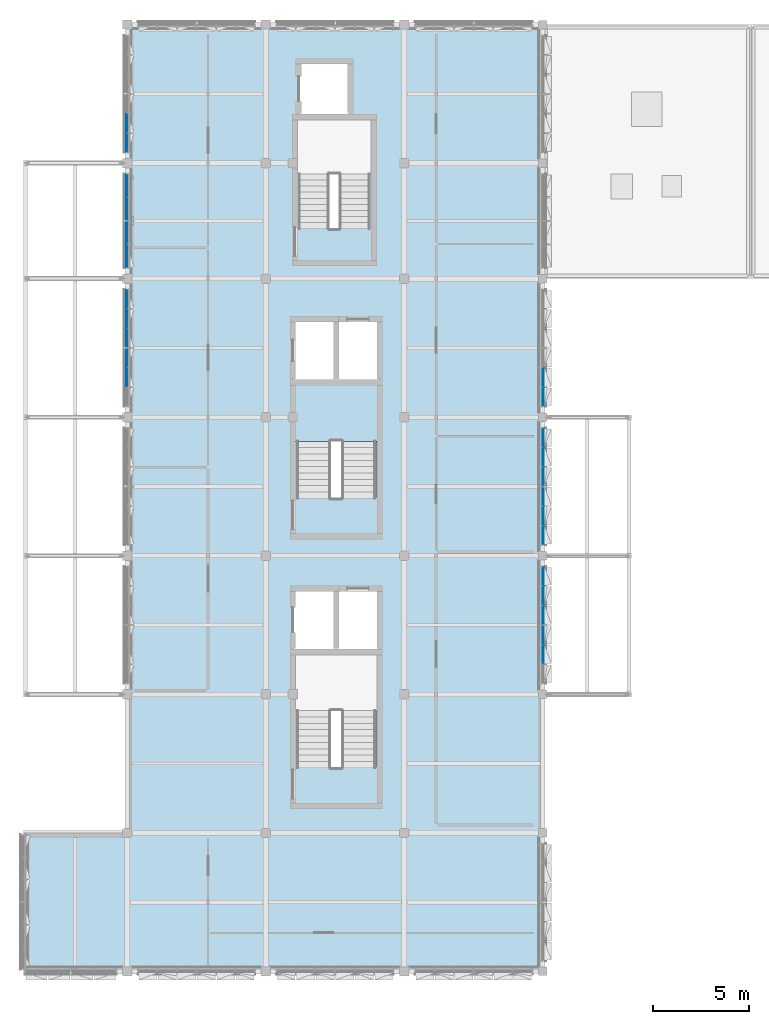
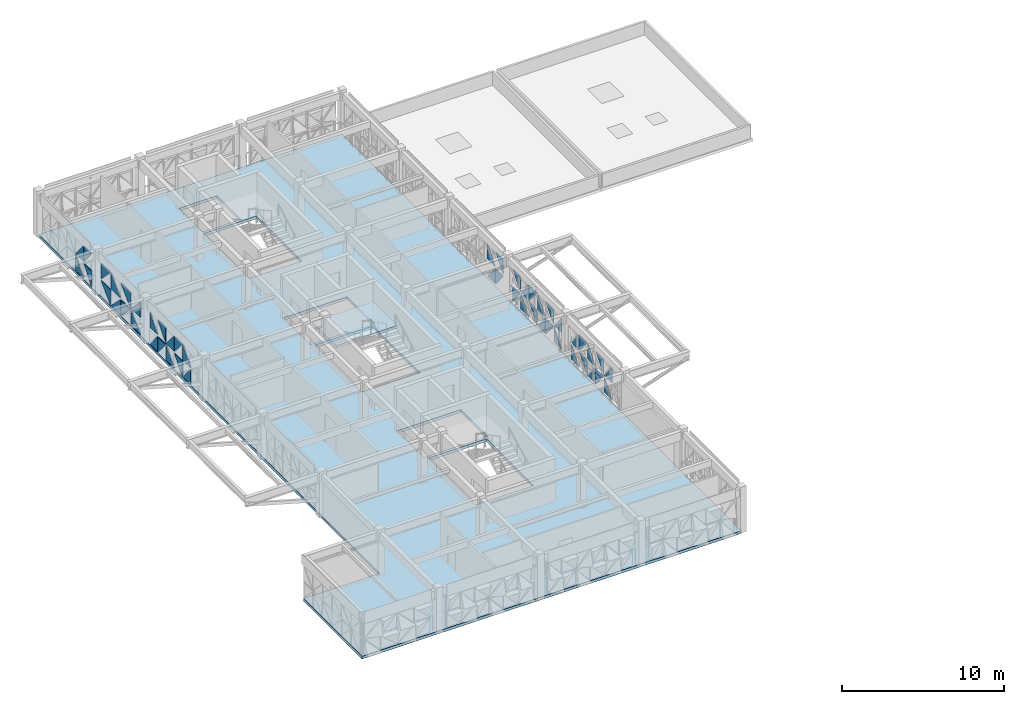
# One storey, part 13 of 30: 48 plates, 2 slabs, 7 elements without a shape of their own.
"""IFC4 building model written with IfcOpenShell, lengths in metres."""

from ifc_helpers import new_model, si_unit, direction, frame, origin, place, context, subcontext, project, spatial, polyline, outline, extrude, material, layer, layer_set, type_object, element, aggregate, save


model = new_model("IFC4")

# Units and contexts
model_context = context("Model", 3, precision=1e-05, world=origin(), true_north=direction((0.0, 1.0)))
body_context = subcontext(model_context, "Body", "Model", "MODEL_VIEW")
ifc_project = project(units=[si_unit("LENGTHUNIT", "METRE"), si_unit("AREAUNIT", "SQUARE_METRE"), si_unit("VOLUMEUNIT", "CUBIC_METRE"), si_unit("PLANEANGLEUNIT", "RADIAN"), si_unit("MASSUNIT", "GRAM", prefix="KILO")], contexts=[model_context])

# Site, building, storey
site_placement = place(None, origin())
site = spatial("IfcSite", under=ifc_project, at=site_placement, CompositionType="ELEMENT")
building_placement = place(site_placement, origin())
building = spatial("IfcBuilding", under=site, at=building_placement, Name="Alvorim Cloister Faculty of Sciences", CompositionType="ELEMENT")
storey_placement = place(building_placement, frame((0.0, 0.0, 26.25)))
storey = spatial("IfcBuildingStorey", under=building, at=storey_placement, Name="L07", CompositionType="ELEMENT", Elevation=26.25)

# Curtain wall, plates
ifc_material_1 = material(Name="Aluminium and Low-E Glass Curtain Wall", Category="aluminium")
curtain_wall_type_1 = type_object("IfcCurtainWallType", Name="CW-TRI-6120x2700", PredefinedType="USERDEFINED", material=ifc_material_1)
curtain_wall_1_placement = place(storey_placement, origin())
curtain_wall_1 = element("IfcCurtainWall", 1, at=curtain_wall_1_placement, inside=storey, type_object=curtain_wall_type_1, Name="L07 Diagonal Cassette Curtain Wall CW-0269", ObjectType="UNITISED CURTAIN WALL", PredefinedType="USERDEFINED")
ifc_material_2 = material(Name="Double Low-E Laminated Glass", Category="glass")
ifc_layer_1 = layer(ifc_material_2, 0.0400390625)
ifc_layer_set_1 = layer_set([ifc_layer_1], Name="Double Low-E Laminated Glass")
plate_type = type_object("IfcPlateType", Name="PN-GLZ-40", PredefinedType="CURTAIN_PANEL", material=ifc_layer_set_1)
plate_1_placement = place(storey_placement, frame((7.175048828125, 37.592529296875, 0.139892578125), z_axis=(0.0, 0.0, 1.0), x_axis=(0.0, 1.0, 0.0)))
plate_1 = element("IfcPlate", 2, at=plate_1_placement, type_object=plate_type, Name="Diagonal Glazed Triangle TRI-BL", PredefinedType="CURTAIN_PANEL", context=body_context, shape_type="SweptSolid", body=[
    extrude(outline(polyline([(0.0, 0.0), (0.953125, 0.0), (0.0, 1.13818359375), (0.0, 0.0)])), frame((0.0, 0.02490234375, 0.0), z_axis=(0.0, -1.0, 0.0), x_axis=(1.0, 0.0, 0.0)), (0.0, 0.0, 1.0), 0.050048828125),
])
plate_2_placement = place(storey_placement, frame((7.175048828125, 37.592529296875, 1.419921875), z_axis=(0.0, 0.0, 1.0), x_axis=(0.0, 1.0, 0.0)))
plate_2 = element("IfcPlate", 3, at=plate_2_placement, type_object=plate_type, Name="Diagonal Glazed Triangle TRI-BR", PredefinedType="CURTAIN_PANEL", context=body_context, shape_type="SweptSolid", body=[
    extrude(outline(polyline([(0.001953125, 0.0), (0.955078125, 0.0), (0.955078125, 1.13818359375), (0.001953125, 0.0)])), frame((0.0, 0.02490234375, 0.0), z_axis=(0.0, -1.0, 0.0), x_axis=(1.0, 0.0, 0.0)), (0.0, 0.0, 1.0), 0.050048828125),
])
plate_3_placement = place(storey_placement, frame((7.175048828125, 38.612548828125, 0.139892578125), z_axis=(0.0, 0.0, 1.0), x_axis=(0.0, 1.0, 0.0)))
plate_3 = element("IfcPlate", 4, at=plate_3_placement, type_object=plate_type, Name="Diagonal Glazed Triangle TRI-TL", PredefinedType="CURTAIN_PANEL", context=body_context, shape_type="SweptSolid", body=[
    extrude(outline(polyline([(0.953125, 1.14013671875), (0.0, 1.14013671875), (0.0, 0.001953125), (0.953125, 1.14013671875)])), frame((0.0, 0.02490234375, 0.0), z_axis=(0.0, -1.0, 0.0), x_axis=(1.0, 0.0, 0.0)), (0.0, 0.0, 1.0), 0.050048828125),
])
plate_4_placement = place(storey_placement, frame((7.175048828125, 38.612548828125, 1.419921875), z_axis=(0.0, 0.0, 1.0), x_axis=(0.0, 1.0, 0.0)))
plate_4 = element("IfcPlate", 5, at=plate_4_placement, type_object=plate_type, Name="Diagonal Glazed Triangle TRI-TR", PredefinedType="CURTAIN_PANEL", context=body_context, shape_type="SweptSolid", body=[
    extrude(outline(polyline([(0.955078125, 0.001953125), (0.955078125, 1.14013671875), (0.001953125, 1.14013671875), (0.955078125, 0.001953125)])), frame((0.0, 0.02490234375, 0.0), z_axis=(0.0, -1.0, 0.0), x_axis=(1.0, 0.0, 0.0)), (0.0, 0.0, 1.0), 0.050048828125),
])
plate_5_placement = place(storey_placement, frame((7.175048828125, 39.632568359375, 0.139892578125), z_axis=(0.0, 0.0, 1.0), x_axis=(0.0, 1.0, 0.0)))
plate_5 = element("IfcPlate", 6, at=plate_5_placement, type_object=plate_type, Name="Diagonal Glazed Triangle TRI-BR", PredefinedType="CURTAIN_PANEL", context=body_context, shape_type="SweptSolid", body=[
    extrude(outline(polyline([(0.001953125, 0.0), (0.955078125, 0.0), (0.955078125, 1.13818359375), (0.001953125, 0.0)])), frame((0.0, 0.02490234375, 0.0), z_axis=(0.0, -1.0, 0.0), x_axis=(1.0, 0.0, 0.0)), (0.0, 0.0, 1.0), 0.050048828125),
])
plate_6_placement = place(storey_placement, frame((7.175048828125, 39.632568359375, 1.419921875), z_axis=(0.0, 0.0, 1.0), x_axis=(0.0, 1.0, 0.0)))
plate_6 = element("IfcPlate", 7, at=plate_6_placement, type_object=plate_type, Name="Diagonal Glazed Triangle TRI-BL", PredefinedType="CURTAIN_PANEL", context=body_context, shape_type="SweptSolid", body=[
    extrude(outline(polyline([(0.0, 0.0), (0.953125, 0.0), (0.0, 1.13818359375), (0.0, 0.0)])), frame((0.0, 0.02490234375, 0.0), z_axis=(0.0, -1.0, 0.0), x_axis=(1.0, 0.0, 0.0)), (0.0, 0.0, 1.0), 0.050048828125),
])
plate_7_placement = place(storey_placement, frame((7.175048828125, 40.652587890625, 0.139892578125), z_axis=(0.0, 0.0, 1.0), x_axis=(0.0, 1.0, 0.0)))
plate_7 = element("IfcPlate", 8, at=plate_7_placement, type_object=plate_type, Name="Diagonal Glazed Triangle TRI-TR", PredefinedType="CURTAIN_PANEL", context=body_context, shape_type="SweptSolid", body=[
    extrude(outline(polyline([(0.955078125, 0.001953125), (0.955078125, 1.14013671875), (0.001953125, 1.14013671875), (0.955078125, 0.001953125)])), frame((0.0, 0.02490234375, 0.0), z_axis=(0.0, -1.0, 0.0), x_axis=(1.0, 0.0, 0.0)), (0.0, 0.0, 1.0), 0.050048828125),
])
plate_8_placement = place(storey_placement, frame((7.175048828125, 40.652587890625, 1.419921875), z_axis=(0.0, 0.0, 1.0), x_axis=(0.0, 1.0, 0.0)))
plate_8 = element("IfcPlate", 9, at=plate_8_placement, type_object=plate_type, Name="Diagonal Glazed Triangle TRI-TL", PredefinedType="CURTAIN_PANEL", context=body_context, shape_type="SweptSolid", body=[
    extrude(outline(polyline([(0.953125, 1.14013671875), (0.0, 1.14013671875), (0.0, 0.001953125), (0.953125, 1.14013671875)])), frame((0.0, 0.02490234375, 0.0), z_axis=(0.0, -1.0, 0.0), x_axis=(1.0, 0.0, 0.0)), (0.0, 0.0, 1.0), 0.050048828125),
])
plate_9_placement = place(storey_placement, frame((7.175048828125, 41.672607421875, 0.139892578125), z_axis=(0.0, 0.0, 1.0), x_axis=(0.0, 1.0, 0.0)))
plate_9 = element("IfcPlate", 10, at=plate_9_placement, type_object=plate_type, Name="Diagonal Glazed Triangle TRI-BL", PredefinedType="CURTAIN_PANEL", context=body_context, shape_type="SweptSolid", body=[
    extrude(outline(polyline([(0.0, 0.0), (0.920654296875, 0.0), (0.0, 1.13818359375), (0.0, 0.0)])), frame((0.0, 0.02490234375, 0.0), z_axis=(0.0, -1.0, 0.0), x_axis=(1.0, 0.0, 0.0)), (0.0, 0.0, 1.0), 0.050048828125),
])
plate_10_placement = place(storey_placement, frame((7.175048828125, 41.672607421875, 1.419921875), z_axis=(0.0, 0.0, 1.0), x_axis=(0.0, 1.0, 0.0)))
plate_10 = element("IfcPlate", 11, at=plate_10_placement, type_object=plate_type, Name="Diagonal Glazed Triangle TRI-BR", PredefinedType="CURTAIN_PANEL", context=body_context, shape_type="SweptSolid", body=[
    extrude(outline(polyline([(0.001953125, 0.0), (0.922607421875, 0.0), (0.922607421875, 1.13818359375), (0.001953125, 0.0)])), frame((0.0, 0.02490234375, 0.0), z_axis=(0.0, -1.0, 0.0), x_axis=(1.0, 0.0, 0.0)), (0.0, 0.0, 1.0), 0.050048828125),
])
aggregate(curtain_wall_1, [plate_1, plate_2, plate_3, plate_4, plate_5, plate_6, plate_7, plate_8, plate_9, plate_10])

curtain_wall_type_2 = type_object("IfcCurtainWallType", Name="CW-TRI-4920x2700", PredefinedType="USERDEFINED", material=ifc_material_1)
curtain_wall_2_placement = place(storey_placement, origin())
curtain_wall_2 = element("IfcCurtainWall", 12, at=curtain_wall_2_placement, inside=storey, type_object=curtain_wall_type_2, Name="L07 Diagonal Cassette Curtain Wall CW-0270", ObjectType="UNITISED CURTAIN WALL", PredefinedType="USERDEFINED")
plate_11_placement = place(storey_placement, frame((7.175048828125, 43.804931640625, 0.139892578125), z_axis=(0.0, 0.0, 1.0), x_axis=(0.0, 1.0, 0.0)))
plate_11 = element("IfcPlate", 13, at=plate_11_placement, type_object=plate_type, Name="Diagonal Glazed Triangle TRI-BR", PredefinedType="CURTAIN_PANEL", context=body_context, shape_type="SweptSolid", body=[
    extrude(outline(polyline([(0.001953125, 0.0), (1.132568359375, 0.0), (1.132568359375, 1.13818359375), (0.001953125, 0.0)])), frame((0.0, 0.02490234375, 0.0), z_axis=(0.0, -1.0, 0.0), x_axis=(1.0, 0.0, 0.0)), (0.0, 0.0, 1.0), 0.050048828125),
])
plate_12_placement = place(storey_placement, frame((7.175048828125, 43.804931640625, 1.419921875), z_axis=(0.0, 0.0, 1.0), x_axis=(0.0, 1.0, 0.0)))
plate_12 = element("IfcPlate", 14, at=plate_12_placement, type_object=plate_type, Name="Diagonal Glazed Triangle TRI-BL", PredefinedType="CURTAIN_PANEL", context=body_context, shape_type="SweptSolid", body=[
    extrude(outline(polyline([(0.0, 0.0), (1.130615234375, 0.0), (0.0, 1.13818359375), (0.0, 0.0)])), frame((0.0, 0.02490234375, 0.0), z_axis=(0.0, -1.0, 0.0), x_axis=(1.0, 0.0, 0.0)), (0.0, 0.0, 1.0), 0.050048828125),
])
plate_13_placement = place(storey_placement, frame((7.175048828125, 45.00244140625, 0.139892578125), z_axis=(0.0, 0.0, 1.0), x_axis=(0.0, 1.0, 0.0)))
plate_13 = element("IfcPlate", 15, at=plate_13_placement, type_object=plate_type, Name="Diagonal Glazed Triangle TRI-TR", PredefinedType="CURTAIN_PANEL", context=body_context, shape_type="SweptSolid", body=[
    extrude(outline(polyline([(1.1650390625, 0.001953125), (1.1650390625, 1.14013671875), (0.001953125, 1.14013671875), (1.1650390625, 0.001953125)])), frame((0.0, 0.02490234375, 0.0), z_axis=(0.0, -1.0, 0.0), x_axis=(1.0, 0.0, 0.0)), (0.0, 0.0, 1.0), 0.050048828125),
])
plate_14_placement = place(storey_placement, frame((7.175048828125, 45.00244140625, 1.419921875), z_axis=(0.0, 0.0, 1.0), x_axis=(0.0, 1.0, 0.0)))
plate_14 = element("IfcPlate", 16, at=plate_14_placement, type_object=plate_type, Name="Diagonal Glazed Triangle TRI-TL", PredefinedType="CURTAIN_PANEL", context=body_context, shape_type="SweptSolid", body=[
    extrude(outline(polyline([(1.1630859375, 1.14013671875), (0.0, 1.14013671875), (0.0, 0.001953125), (1.1630859375, 1.14013671875)])), frame((0.0, 0.02490234375, 0.0), z_axis=(0.0, -1.0, 0.0), x_axis=(1.0, 0.0, 0.0)), (0.0, 0.0, 1.0), 0.050048828125),
])
plate_15_placement = place(storey_placement, frame((7.175048828125, 46.232421875, 0.139892578125), z_axis=(0.0, 0.0, 1.0), x_axis=(0.0, 1.0, 0.0)))
plate_15 = element("IfcPlate", 17, at=plate_15_placement, type_object=plate_type, Name="Diagonal Glazed Triangle TRI-BL", PredefinedType="CURTAIN_PANEL", context=body_context, shape_type="SweptSolid", body=[
    extrude(outline(polyline([(0.0, 0.0), (1.1630859375, 0.0), (0.0, 1.13818359375), (0.0, 0.0)])), frame((0.0, 0.02490234375, 0.0), z_axis=(0.0, -1.0, 0.0), x_axis=(1.0, 0.0, 0.0)), (0.0, 0.0, 1.0), 0.050048828125),
])
plate_16_placement = place(storey_placement, frame((7.175048828125, 46.232421875, 1.419921875), z_axis=(0.0, 0.0, 1.0), x_axis=(0.0, 1.0, 0.0)))
plate_16 = element("IfcPlate", 18, at=plate_16_placement, type_object=plate_type, Name="Diagonal Glazed Triangle TRI-BR", PredefinedType="CURTAIN_PANEL", context=body_context, shape_type="SweptSolid", body=[
    extrude(outline(polyline([(0.001953125, 0.0), (1.1650390625, 0.0), (1.1650390625, 1.13818359375), (0.001953125, 0.0)])), frame((0.0, 0.02490234375, 0.0), z_axis=(0.0, -1.0, 0.0), x_axis=(1.0, 0.0, 0.0)), (0.0, 0.0, 1.0), 0.050048828125),
])
plate_17_placement = place(storey_placement, frame((7.175048828125, 47.46240234375, 0.139892578125), z_axis=(0.0, 0.0, 1.0), x_axis=(0.0, 1.0, 0.0)))
plate_17 = element("IfcPlate", 19, at=plate_17_placement, type_object=plate_type, Name="Diagonal Glazed Triangle TRI-TL", PredefinedType="CURTAIN_PANEL", context=body_context, shape_type="SweptSolid", body=[
    extrude(outline(polyline([(1.130615234375, 1.14013671875), (0.0, 1.14013671875), (0.0, 0.001953125), (1.130615234375, 1.14013671875)])), frame((0.0, 0.02490234375, 0.0), z_axis=(0.0, -1.0, 0.0), x_axis=(1.0, 0.0, 0.0)), (0.0, 0.0, 1.0), 0.050048828125),
])
plate_18_placement = place(storey_placement, frame((7.175048828125, 47.46240234375, 1.419921875), z_axis=(0.0, 0.0, 1.0), x_axis=(0.0, 1.0, 0.0)))
plate_18 = element("IfcPlate", 20, at=plate_18_placement, type_object=plate_type, Name="Diagonal Glazed Triangle TRI-TR", PredefinedType="CURTAIN_PANEL", context=body_context, shape_type="SweptSolid", body=[
    extrude(outline(polyline([(1.132568359375, 0.001953125), (1.132568359375, 1.14013671875), (0.001953125, 1.14013671875), (1.132568359375, 0.001953125)])), frame((0.0, 0.02490234375, 0.0), z_axis=(0.0, -1.0, 0.0), x_axis=(1.0, 0.0, 0.0)), (0.0, 0.0, 1.0), 0.050048828125),
])
aggregate(curtain_wall_2, [plate_11, plate_12, plate_13, plate_14, plate_15, plate_16, plate_17, plate_18])

curtain_wall_3_placement = place(storey_placement, origin())
curtain_wall_3 = element("IfcCurtainWall", 21, at=curtain_wall_3_placement, inside=storey, type_object=curtain_wall_type_1, Name="L07 Diagonal Cassette Curtain Wall CW-0271", ObjectType="UNITISED CURTAIN WALL", PredefinedType="USERDEFINED")
plate_19_placement = place(storey_placement, frame((7.175048828125, 49.804931640625, 0.139892578125), z_axis=(0.0, 0.0, 1.0), x_axis=(0.0, 1.0, 0.0)))
plate_19 = element("IfcPlate", 22, at=plate_19_placement, type_object=plate_type, Name="Diagonal Glazed Triangle TRI-TL", PredefinedType="CURTAIN_PANEL", context=body_context, shape_type="SweptSolid", body=[
    extrude(outline(polyline([(0.920654296875, 1.14013671875), (0.0, 1.14013671875), (0.0, 0.001953125), (0.920654296875, 1.14013671875)])), frame((0.0, 0.02490234375, 0.0), z_axis=(0.0, -1.0, 0.0), x_axis=(1.0, 0.0, 0.0)), (0.0, 0.0, 1.0), 0.050048828125),
])
plate_20_placement = place(storey_placement, frame((7.175048828125, 49.804931640625, 1.419921875), z_axis=(0.0, 0.0, 1.0), x_axis=(0.0, 1.0, 0.0)))
plate_20 = element("IfcPlate", 23, at=plate_20_placement, type_object=plate_type, Name="Diagonal Glazed Triangle TRI-TR", PredefinedType="CURTAIN_PANEL", context=body_context, shape_type="SweptSolid", body=[
    extrude(outline(polyline([(0.922607421875, 0.001953125), (0.922607421875, 1.14013671875), (0.001953125, 1.14013671875), (0.922607421875, 0.001953125)])), frame((0.0, 0.02490234375, 0.0), z_axis=(0.0, -1.0, 0.0), x_axis=(1.0, 0.0, 0.0)), (0.0, 0.0, 1.0), 0.050048828125),
])
plate_21_placement = place(storey_placement, frame((7.175048828125, 50.79248046875, 0.139892578125), z_axis=(0.0, 0.0, 1.0), x_axis=(0.0, 1.0, 0.0)))
plate_21 = element("IfcPlate", 24, at=plate_21_placement, type_object=plate_type, Name="Diagonal Glazed Triangle TRI-BR", PredefinedType="CURTAIN_PANEL", context=body_context, shape_type="SweptSolid", body=[
    extrude(outline(polyline([(0.001953125, 0.0), (0.955078125, 0.0), (0.955078125, 1.13818359375), (0.001953125, 0.0)])), frame((0.0, 0.02490234375, 0.0), z_axis=(0.0, -1.0, 0.0), x_axis=(1.0, 0.0, 0.0)), (0.0, 0.0, 1.0), 0.050048828125),
])
plate_22_placement = place(storey_placement, frame((7.175048828125, 50.79248046875, 1.419921875), z_axis=(0.0, 0.0, 1.0), x_axis=(0.0, 1.0, 0.0)))
plate_22 = element("IfcPlate", 25, at=plate_22_placement, type_object=plate_type, Name="Diagonal Glazed Triangle TRI-BL", PredefinedType="CURTAIN_PANEL", context=body_context, shape_type="SweptSolid", body=[
    extrude(outline(polyline([(0.0, 0.0), (0.953125, 0.0), (0.0, 1.13818359375), (0.0, 0.0)])), frame((0.0, 0.02490234375, 0.0), z_axis=(0.0, -1.0, 0.0), x_axis=(1.0, 0.0, 0.0)), (0.0, 0.0, 1.0), 0.050048828125),
])
aggregate(curtain_wall_3, [plate_19, plate_20, plate_21, plate_22])

curtain_wall_4_placement = place(storey_placement, origin())
curtain_wall_4 = element("IfcCurtainWall", 26, at=curtain_wall_4_placement, inside=storey, type_object=curtain_wall_type_1, Name="L07 Diagonal Cassette Curtain Wall CW-0277", ObjectType="UNITISED CURTAIN WALL", PredefinedType="USERDEFINED")
plate_23_placement = place(storey_placement, frame((28.824951171875, 36.60498046875, 0.139892578125), z_axis=(0.0, 0.0, 1.0), x_axis=(0.0, 1.0, 0.0)))
plate_23 = element("IfcPlate", 27, at=plate_23_placement, type_object=plate_type, Name="Diagonal Glazed Triangle TRI-TR", PredefinedType="CURTAIN_PANEL", context=body_context, shape_type="SweptSolid", body=[
    extrude(outline(polyline([(0.922607421875, 0.001953125), (0.922607421875, 1.14013671875), (0.001953125, 1.14013671875), (0.922607421875, 0.001953125)])), frame((0.0, 0.02490234375, 0.0), z_axis=(0.0, -1.0, 0.0), x_axis=(1.0, 0.0, 0.0)), (0.0, 0.0, 1.0), 0.050048828125),
])
plate_24_placement = place(storey_placement, frame((28.824951171875, 36.60498046875, 1.419921875), z_axis=(0.0, 0.0, 1.0), x_axis=(0.0, 1.0, 0.0)))
plate_24 = element("IfcPlate", 28, at=plate_24_placement, type_object=plate_type, Name="Diagonal Glazed Triangle TRI-TL", PredefinedType="CURTAIN_PANEL", context=body_context, shape_type="SweptSolid", body=[
    extrude(outline(polyline([(0.920654296875, 1.14013671875), (0.0, 1.14013671875), (0.0, 0.001953125), (0.920654296875, 1.14013671875)])), frame((0.0, 0.02490234375, 0.0), z_axis=(0.0, -1.0, 0.0), x_axis=(1.0, 0.0, 0.0)), (0.0, 0.0, 1.0), 0.050048828125),
])
plate_25_placement = place(storey_placement, frame((28.824951171875, 37.592529296875, 0.139892578125), z_axis=(0.0, 0.0, 1.0), x_axis=(0.0, 1.0, 0.0)))
plate_25 = element("IfcPlate", 29, at=plate_25_placement, type_object=plate_type, Name="Diagonal Glazed Triangle TRI-BL", PredefinedType="CURTAIN_PANEL", context=body_context, shape_type="SweptSolid", body=[
    extrude(outline(polyline([(0.0, 0.0), (0.953125, 0.0), (0.0, 1.13818359375), (0.0, 0.0)])), frame((0.0, 0.02490234375, 0.0), z_axis=(0.0, -1.0, 0.0), x_axis=(1.0, 0.0, 0.0)), (0.0, 0.0, 1.0), 0.050048828125),
])
plate_26_placement = place(storey_placement, frame((28.824951171875, 37.592529296875, 1.419921875), z_axis=(0.0, 0.0, 1.0), x_axis=(0.0, 1.0, 0.0)))
plate_26 = element("IfcPlate", 30, at=plate_26_placement, type_object=plate_type, Name="Diagonal Glazed Triangle TRI-BR", PredefinedType="CURTAIN_PANEL", context=body_context, shape_type="SweptSolid", body=[
    extrude(outline(polyline([(0.001953125, 0.0), (0.955078125, 0.0), (0.955078125, 1.13818359375), (0.001953125, 0.0)])), frame((0.0, 0.02490234375, 0.0), z_axis=(0.0, -1.0, 0.0), x_axis=(1.0, 0.0, 0.0)), (0.0, 0.0, 1.0), 0.050048828125),
])
aggregate(curtain_wall_4, [plate_23, plate_24, plate_25, plate_26])

curtain_wall_5_placement = place(storey_placement, origin())
curtain_wall_5 = element("IfcCurtainWall", 31, at=curtain_wall_5_placement, inside=storey, type_object=curtain_wall_type_1, Name="L07 Diagonal Cassette Curtain Wall CW-0278", ObjectType="UNITISED CURTAIN WALL", PredefinedType="USERDEFINED")
plate_27_placement = place(storey_placement, frame((28.824951171875, 29.405029296875, 0.139892578125), z_axis=(0.0, 0.0, 1.0), x_axis=(0.0, 1.0, 0.0)))
plate_27 = element("IfcPlate", 32, at=plate_27_placement, type_object=plate_type, Name="Diagonal Glazed Triangle TRI-BR", PredefinedType="CURTAIN_PANEL", context=body_context, shape_type="SweptSolid", body=[
    extrude(outline(polyline([(0.001953125, 0.0), (0.922607421875, 0.0), (0.922607421875, 1.13818359375), (0.001953125, 0.0)])), frame((0.0, 0.02490234375, 0.0), z_axis=(0.0, -1.0, 0.0), x_axis=(1.0, 0.0, 0.0)), (0.0, 0.0, 1.0), 0.050048828125),
])
plate_28_placement = place(storey_placement, frame((28.824951171875, 29.405029296875, 1.419921875), z_axis=(0.0, 0.0, 1.0), x_axis=(0.0, 1.0, 0.0)))
plate_28 = element("IfcPlate", 33, at=plate_28_placement, type_object=plate_type, Name="Diagonal Glazed Triangle TRI-BL", PredefinedType="CURTAIN_PANEL", context=body_context, shape_type="SweptSolid", body=[
    extrude(outline(polyline([(0.0, 0.0), (0.920654296875, 0.0), (0.0, 1.13818359375), (0.0, 0.0)])), frame((0.0, 0.02490234375, 0.0), z_axis=(0.0, -1.0, 0.0), x_axis=(1.0, 0.0, 0.0)), (0.0, 0.0, 1.0), 0.050048828125),
])
plate_29_placement = place(storey_placement, frame((28.824951171875, 30.392578125, 0.139892578125), z_axis=(0.0, 0.0, 1.0), x_axis=(0.0, 1.0, 0.0)))
plate_29 = element("IfcPlate", 34, at=plate_29_placement, type_object=plate_type, Name="Diagonal Glazed Triangle TRI-TR", PredefinedType="CURTAIN_PANEL", context=body_context, shape_type="SweptSolid", body=[
    extrude(outline(polyline([(0.955078125, 0.001953125), (0.955078125, 1.14013671875), (0.001953125, 1.14013671875), (0.955078125, 0.001953125)])), frame((0.0, 0.02490234375, 0.0), z_axis=(0.0, -1.0, 0.0), x_axis=(1.0, 0.0, 0.0)), (0.0, 0.0, 1.0), 0.050048828125),
])
plate_30_placement = place(storey_placement, frame((28.824951171875, 30.392578125, 1.419921875), z_axis=(0.0, 0.0, 1.0), x_axis=(0.0, 1.0, 0.0)))
plate_30 = element("IfcPlate", 35, at=plate_30_placement, type_object=plate_type, Name="Diagonal Glazed Triangle TRI-TL", PredefinedType="CURTAIN_PANEL", context=body_context, shape_type="SweptSolid", body=[
    extrude(outline(polyline([(0.953125, 1.14013671875), (0.0, 1.14013671875), (0.0, 0.001953125), (0.953125, 1.14013671875)])), frame((0.0, 0.02490234375, 0.0), z_axis=(0.0, -1.0, 0.0), x_axis=(1.0, 0.0, 0.0)), (0.0, 0.0, 1.0), 0.050048828125),
])
plate_31_placement = place(storey_placement, frame((28.824951171875, 31.41259765625, 0.139892578125), z_axis=(0.0, 0.0, 1.0), x_axis=(0.0, 1.0, 0.0)))
plate_31 = element("IfcPlate", 36, at=plate_31_placement, type_object=plate_type, Name="Diagonal Glazed Triangle TRI-BL", PredefinedType="CURTAIN_PANEL", context=body_context, shape_type="SweptSolid", body=[
    extrude(outline(polyline([(0.0, 0.0), (0.953125, 0.0), (0.0, 1.13818359375), (0.0, 0.0)])), frame((0.0, 0.02490234375, 0.0), z_axis=(0.0, -1.0, 0.0), x_axis=(1.0, 0.0, 0.0)), (0.0, 0.0, 1.0), 0.050048828125),
])
plate_32_placement = place(storey_placement, frame((28.824951171875, 31.41259765625, 1.419921875), z_axis=(0.0, 0.0, 1.0), x_axis=(0.0, 1.0, 0.0)))
plate_32 = element("IfcPlate", 37, at=plate_32_placement, type_object=plate_type, Name="Diagonal Glazed Triangle TRI-BR", PredefinedType="CURTAIN_PANEL", context=body_context, shape_type="SweptSolid", body=[
    extrude(outline(polyline([(0.001953125, 0.0), (0.955078125, 0.0), (0.955078125, 1.13818359375), (0.001953125, 0.0)])), frame((0.0, 0.02490234375, 0.0), z_axis=(0.0, -1.0, 0.0), x_axis=(1.0, 0.0, 0.0)), (0.0, 0.0, 1.0), 0.050048828125),
])
plate_33_placement = place(storey_placement, frame((28.824951171875, 32.4326171875, 0.139892578125), z_axis=(0.0, 0.0, 1.0), x_axis=(0.0, 1.0, 0.0)))
plate_33 = element("IfcPlate", 38, at=plate_33_placement, type_object=plate_type, Name="Diagonal Glazed Triangle TRI-TL", PredefinedType="CURTAIN_PANEL", context=body_context, shape_type="SweptSolid", body=[
    extrude(outline(polyline([(0.953125, 1.14013671875), (0.0, 1.14013671875), (0.0, 0.001953125), (0.953125, 1.14013671875)])), frame((0.0, 0.02490234375, 0.0), z_axis=(0.0, -1.0, 0.0), x_axis=(1.0, 0.0, 0.0)), (0.0, 0.0, 1.0), 0.050048828125),
])
plate_34_placement = place(storey_placement, frame((28.824951171875, 32.4326171875, 1.419921875), z_axis=(0.0, 0.0, 1.0), x_axis=(0.0, 1.0, 0.0)))
plate_34 = element("IfcPlate", 39, at=plate_34_placement, type_object=plate_type, Name="Diagonal Glazed Triangle TRI-TR", PredefinedType="CURTAIN_PANEL", context=body_context, shape_type="SweptSolid", body=[
    extrude(outline(polyline([(0.955078125, 0.001953125), (0.955078125, 1.14013671875), (0.001953125, 1.14013671875), (0.955078125, 0.001953125)])), frame((0.0, 0.02490234375, 0.0), z_axis=(0.0, -1.0, 0.0), x_axis=(1.0, 0.0, 0.0)), (0.0, 0.0, 1.0), 0.050048828125),
])
plate_35_placement = place(storey_placement, frame((28.824951171875, 33.452392578125, 0.139892578125), z_axis=(0.0, 0.0, 1.0), x_axis=(0.0, 1.0, 0.0)))
plate_35 = element("IfcPlate", 40, at=plate_35_placement, type_object=plate_type, Name="Diagonal Glazed Triangle TRI-BR", PredefinedType="CURTAIN_PANEL", context=body_context, shape_type="SweptSolid", body=[
    extrude(outline(polyline([(0.001953125, 0.0), (0.955078125, 0.0), (0.955078125, 1.13818359375), (0.001953125, 0.0)])), frame((0.0, 0.02490234375, 0.0), z_axis=(0.0, -1.0, 0.0), x_axis=(1.0, 0.0, 0.0)), (0.0, 0.0, 1.0), 0.050048828125),
])
plate_36_placement = place(storey_placement, frame((28.824951171875, 33.452392578125, 1.419921875), z_axis=(0.0, 0.0, 1.0), x_axis=(0.0, 1.0, 0.0)))
plate_36 = element("IfcPlate", 41, at=plate_36_placement, type_object=plate_type, Name="Diagonal Glazed Triangle TRI-BL", PredefinedType="CURTAIN_PANEL", context=body_context, shape_type="SweptSolid", body=[
    extrude(outline(polyline([(0.0, 0.0), (0.953125, 0.0), (0.0, 1.13818359375), (0.0, 0.0)])), frame((0.0, 0.02490234375, 0.0), z_axis=(0.0, -1.0, 0.0), x_axis=(1.0, 0.0, 0.0)), (0.0, 0.0, 1.0), 0.050048828125),
])
plate_37_placement = place(storey_placement, frame((28.824951171875, 34.472412109375, 0.139892578125), z_axis=(0.0, 0.0, 1.0), x_axis=(0.0, 1.0, 0.0)))
plate_37 = element("IfcPlate", 42, at=plate_37_placement, type_object=plate_type, Name="Diagonal Glazed Triangle TRI-TR", PredefinedType="CURTAIN_PANEL", context=body_context, shape_type="SweptSolid", body=[
    extrude(outline(polyline([(0.922607421875, 0.001953125), (0.922607421875, 1.14013671875), (0.001953125, 1.14013671875), (0.922607421875, 0.001953125)])), frame((0.0, 0.02490234375, 0.0), z_axis=(0.0, -1.0, 0.0), x_axis=(1.0, 0.0, 0.0)), (0.0, 0.0, 1.0), 0.050048828125),
])
plate_38_placement = place(storey_placement, frame((28.824951171875, 34.472412109375, 1.419921875), z_axis=(0.0, 0.0, 1.0), x_axis=(0.0, 1.0, 0.0)))
plate_38 = element("IfcPlate", 43, at=plate_38_placement, type_object=plate_type, Name="Diagonal Glazed Triangle TRI-TL", PredefinedType="CURTAIN_PANEL", context=body_context, shape_type="SweptSolid", body=[
    extrude(outline(polyline([(0.920654296875, 1.14013671875), (0.0, 1.14013671875), (0.0, 0.001953125), (0.920654296875, 1.14013671875)])), frame((0.0, 0.02490234375, 0.0), z_axis=(0.0, -1.0, 0.0), x_axis=(1.0, 0.0, 0.0)), (0.0, 0.0, 1.0), 0.050048828125),
])
aggregate(curtain_wall_5, [plate_27, plate_28, plate_29, plate_30, plate_31, plate_32, plate_33, plate_34, plate_35, plate_36, plate_37, plate_38])

curtain_wall_6_placement = place(storey_placement, origin())
curtain_wall_6 = element("IfcCurtainWall", 44, at=curtain_wall_6_placement, inside=storey, type_object=curtain_wall_type_1, Name="L07 Diagonal Cassette Curtain Wall CW-0279", ObjectType="UNITISED CURTAIN WALL", PredefinedType="USERDEFINED")
plate_39_placement = place(storey_placement, frame((28.824951171875, 23.1923828125, 0.139892578125), z_axis=(0.0, 0.0, 1.0), x_axis=(0.0, 1.0, 0.0)))
plate_39 = element("IfcPlate", 45, at=plate_39_placement, type_object=plate_type, Name="Diagonal Glazed Triangle TRI-BR", PredefinedType="CURTAIN_PANEL", context=body_context, shape_type="SweptSolid", body=[
    extrude(outline(polyline([(0.001953125, 0.0), (0.955078125, 0.0), (0.955078125, 1.13818359375), (0.001953125, 0.0)])), frame((0.0, 0.02490234375, 0.0), z_axis=(0.0, -1.0, 0.0), x_axis=(1.0, 0.0, 0.0)), (0.0, 0.0, 1.0), 0.050048828125),
])
plate_40_placement = place(storey_placement, frame((28.824951171875, 23.1923828125, 1.419921875), z_axis=(0.0, 0.0, 1.0), x_axis=(0.0, 1.0, 0.0)))
plate_40 = element("IfcPlate", 46, at=plate_40_placement, type_object=plate_type, Name="Diagonal Glazed Triangle TRI-BL", PredefinedType="CURTAIN_PANEL", context=body_context, shape_type="SweptSolid", body=[
    extrude(outline(polyline([(0.0, 0.0), (0.953125, 0.0), (0.0, 1.13818359375), (0.0, 0.0)])), frame((0.0, 0.02490234375, 0.0), z_axis=(0.0, -1.0, 0.0), x_axis=(1.0, 0.0, 0.0)), (0.0, 0.0, 1.0), 0.050048828125),
])
plate_41_placement = place(storey_placement, frame((28.824951171875, 24.21240234375, 0.139892578125), z_axis=(0.0, 0.0, 1.0), x_axis=(0.0, 1.0, 0.0)))
plate_41 = element("IfcPlate", 47, at=plate_41_placement, type_object=plate_type, Name="Diagonal Glazed Triangle TRI-TR", PredefinedType="CURTAIN_PANEL", context=body_context, shape_type="SweptSolid", body=[
    extrude(outline(polyline([(0.955078125, 0.001953125), (0.955078125, 1.14013671875), (0.001953125, 1.14013671875), (0.955078125, 0.001953125)])), frame((0.0, 0.02490234375, 0.0), z_axis=(0.0, -1.0, 0.0), x_axis=(1.0, 0.0, 0.0)), (0.0, 0.0, 1.0), 0.050048828125),
])
plate_42_placement = place(storey_placement, frame((28.824951171875, 24.21240234375, 1.419921875), z_axis=(0.0, 0.0, 1.0), x_axis=(0.0, 1.0, 0.0)))
plate_42 = element("IfcPlate", 48, at=plate_42_placement, type_object=plate_type, Name="Diagonal Glazed Triangle TRI-TL", PredefinedType="CURTAIN_PANEL", context=body_context, shape_type="SweptSolid", body=[
    extrude(outline(polyline([(0.953125, 1.14013671875), (0.0, 1.14013671875), (0.0, 0.001953125), (0.953125, 1.14013671875)])), frame((0.0, 0.02490234375, 0.0), z_axis=(0.0, -1.0, 0.0), x_axis=(1.0, 0.0, 0.0)), (0.0, 0.0, 1.0), 0.050048828125),
])
plate_43_placement = place(storey_placement, frame((28.824951171875, 25.232421875, 0.139892578125), z_axis=(0.0, 0.0, 1.0), x_axis=(0.0, 1.0, 0.0)))
plate_43 = element("IfcPlate", 49, at=plate_43_placement, type_object=plate_type, Name="Diagonal Glazed Triangle TRI-BL", PredefinedType="CURTAIN_PANEL", context=body_context, shape_type="SweptSolid", body=[
    extrude(outline(polyline([(0.0, 0.0), (0.953125, 0.0), (0.0, 1.13818359375), (0.0, 0.0)])), frame((0.0, 0.02490234375, 0.0), z_axis=(0.0, -1.0, 0.0), x_axis=(1.0, 0.0, 0.0)), (0.0, 0.0, 1.0), 0.050048828125),
])
plate_44_placement = place(storey_placement, frame((28.824951171875, 25.232421875, 1.419921875), z_axis=(0.0, 0.0, 1.0), x_axis=(0.0, 1.0, 0.0)))
plate_44 = element("IfcPlate", 50, at=plate_44_placement, type_object=plate_type, Name="Diagonal Glazed Triangle TRI-BR", PredefinedType="CURTAIN_PANEL", context=body_context, shape_type="SweptSolid", body=[
    extrude(outline(polyline([(0.001953125, 0.0), (0.955078125, 0.0), (0.955078125, 1.13818359375), (0.001953125, 0.0)])), frame((0.0, 0.02490234375, 0.0), z_axis=(0.0, -1.0, 0.0), x_axis=(1.0, 0.0, 0.0)), (0.0, 0.0, 1.0), 0.050048828125),
])
plate_45_placement = place(storey_placement, frame((28.824951171875, 26.25244140625, 0.139892578125), z_axis=(0.0, 0.0, 1.0), x_axis=(0.0, 1.0, 0.0)))
plate_45 = element("IfcPlate", 51, at=plate_45_placement, type_object=plate_type, Name="Diagonal Glazed Triangle TRI-TL", PredefinedType="CURTAIN_PANEL", context=body_context, shape_type="SweptSolid", body=[
    extrude(outline(polyline([(0.953125, 1.14013671875), (0.0, 1.14013671875), (0.0, 0.001953125), (0.953125, 1.14013671875)])), frame((0.0, 0.02490234375, 0.0), z_axis=(0.0, -1.0, 0.0), x_axis=(1.0, 0.0, 0.0)), (0.0, 0.0, 1.0), 0.050048828125),
])
plate_46_placement = place(storey_placement, frame((28.824951171875, 26.25244140625, 1.419921875), z_axis=(0.0, 0.0, 1.0), x_axis=(0.0, 1.0, 0.0)))
plate_46 = element("IfcPlate", 52, at=plate_46_placement, type_object=plate_type, Name="Diagonal Glazed Triangle TRI-TR", PredefinedType="CURTAIN_PANEL", context=body_context, shape_type="SweptSolid", body=[
    extrude(outline(polyline([(0.955078125, 0.001953125), (0.955078125, 1.14013671875), (0.001953125, 1.14013671875), (0.955078125, 0.001953125)])), frame((0.0, 0.02490234375, 0.0), z_axis=(0.0, -1.0, 0.0), x_axis=(1.0, 0.0, 0.0)), (0.0, 0.0, 1.0), 0.050048828125),
])
plate_47_placement = place(storey_placement, frame((28.824951171875, 27.2724609375, 0.139892578125), z_axis=(0.0, 0.0, 1.0), x_axis=(0.0, 1.0, 0.0)))
plate_47 = element("IfcPlate", 53, at=plate_47_placement, type_object=plate_type, Name="Diagonal Glazed Triangle TRI-BR", PredefinedType="CURTAIN_PANEL", context=body_context, shape_type="SweptSolid", body=[
    extrude(outline(polyline([(0.001953125, 0.0), (0.922607421875, 0.0), (0.922607421875, 1.13818359375), (0.001953125, 0.0)])), frame((0.0, 0.02490234375, 0.0), z_axis=(0.0, -1.0, 0.0), x_axis=(1.0, 0.0, 0.0)), (0.0, 0.0, 1.0), 0.050048828125),
])
plate_48_placement = place(storey_placement, frame((28.824951171875, 27.2724609375, 1.419921875), z_axis=(0.0, 0.0, 1.0), x_axis=(0.0, 1.0, 0.0)))
plate_48 = element("IfcPlate", 54, at=plate_48_placement, type_object=plate_type, Name="Diagonal Glazed Triangle TRI-BL", PredefinedType="CURTAIN_PANEL", context=body_context, shape_type="SweptSolid", body=[
    extrude(outline(polyline([(0.0, 0.0), (0.920654296875, 0.0), (0.0, 1.13818359375), (0.0, 0.0)])), frame((0.0, 0.02490234375, 0.0), z_axis=(0.0, -1.0, 0.0), x_axis=(1.0, 0.0, 0.0)), (0.0, 0.0, 1.0), 0.050048828125),
])
aggregate(curtain_wall_6, [plate_39, plate_40, plate_41, plate_42, plate_43, plate_44, plate_45, plate_46, plate_47, plate_48])

# Slab
ifc_material_3 = material(Name="Cross-Laminated Timber CLT C24", Category="wood")
ifc_layer_2 = layer(ifc_material_3, 0.2099609375)
ifc_layer_set_2 = layer_set([ifc_layer_2], Name="Cross-Laminated Timber CLT C24")
slab_type_1 = type_object("IfcSlabType", Name="SL-CLT-210", PredefinedType="FLOOR", material=ifc_layer_set_2)
slab_1_placement = place(storey_placement, frame((0.0, 0.0, -0.2099609375)))
element("IfcSlab", 55, at=slab_1_placement, inside=storey, type_object=slab_type_1, Name="L07 V5 Structural Slab 36", PredefinedType="FLOOR", context=body_context, shape_type="SweptSolid", body=[
    extrude(outline(polyline([(1.804931640625, 7.205078125), (1.804931640625, 14.39501953125), (7.205078125, 14.39501953125), (7.205078125, 56.39501953125), (28.794921875, 56.39501953125), (28.794921875, 7.205078125), (1.804931640625, 7.205078125)]), holes=[polyline([(16.0, 23.60009765625), (16.0, 17.81005859375), (20.1201171875, 17.81005859375), (20.1201171875, 23.60009765625), (16.0, 23.60009765625)]), polyline([(15.800048828125, 27.10009765625), (15.800048828125, 23.800048828125), (18.06005859375, 23.800048828125), (20.320068359375, 23.800048828125), (20.320068359375, 27.10009765625), (18.06005859375, 27.10009765625), (15.800048828125, 27.10009765625)]), polyline([(16.0, 37.60009765625), (16.0, 31.81005859375), (20.1201171875, 31.81005859375), (20.1201171875, 37.60009765625), (16.0, 37.60009765625)]), polyline([(15.800048828125, 41.10009765625), (15.800048828125, 37.800048828125), (18.06005859375, 37.800048828125), (20.320068359375, 37.800048828125), (20.320068359375, 41.10009765625), (18.06005859375, 41.10009765625), (15.800048828125, 41.10009765625)]), polyline([(16.10009765625, 51.39990234375), (16.10009765625, 45.830078125), (19.820068359375, 45.830078125), (19.820068359375, 51.39990234375), (16.10009765625, 51.39990234375)]), polyline([(16.10009765625, 54.5), (16.10009765625, 51.60009765625), (18.800048828125, 51.60009765625), (18.800048828125, 54.5), (16.10009765625, 54.5)])]), origin(), (0.0, 0.0, 1.0), 0.2099609375),
])

# Stair, slab
ifc_material_4 = material(Name="Concrete C40", Category="concrete")
stair_type = type_object("IfcStairType", Name="STR-ST-02-1780x3450", PredefinedType="HALF_TURN_STAIR", material=ifc_material_4)
stair_placement = place(storey_placement, origin())
stair = element("IfcStair", 56, at=stair_placement, inside=storey, type_object=stair_type, Name="L07 Enclosed Smoke-Proof Stair ST-02", PredefinedType="HALF_TURN_STAIR")
ifc_layer_3 = layer(ifc_material_4, 0.199951171875)
ifc_layer_set_3 = layer_set([ifc_layer_3], Name="Concrete C40")
slab_type_2 = type_object("IfcSlabType", Name="SL-LAND-200", PredefinedType="LANDING", material=ifc_layer_set_3)
slab_2_placement = place(storey_placement, frame((0.0, 0.0, 1.52490234375)))
slab_2 = element("IfcSlab", 57, at=slab_2_placement, type_object=slab_type_2, Name="ST-02 landing 1", PredefinedType="LANDING", context=body_context, shape_type="SweptSolid", body=[
    extrude(outline(polyline([(20.239990234375, 34.75), (20.239990234375, 37.719970703125), (15.8798828125, 37.719970703125), (15.8798828125, 34.75), (20.239990234375, 34.75)])), origin(), (0.0, 0.0, 1.0), 0.2001953125),
])
aggregate(stair, [slab_2])

save(model, "model.ifc")
